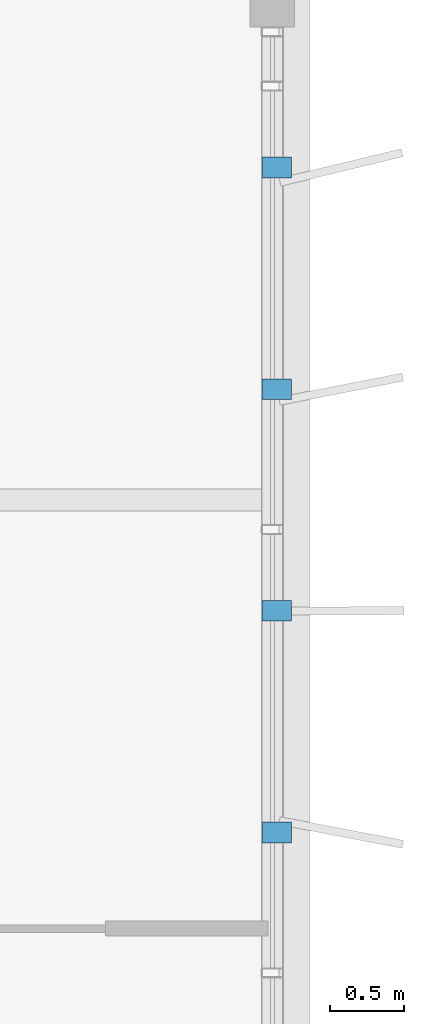
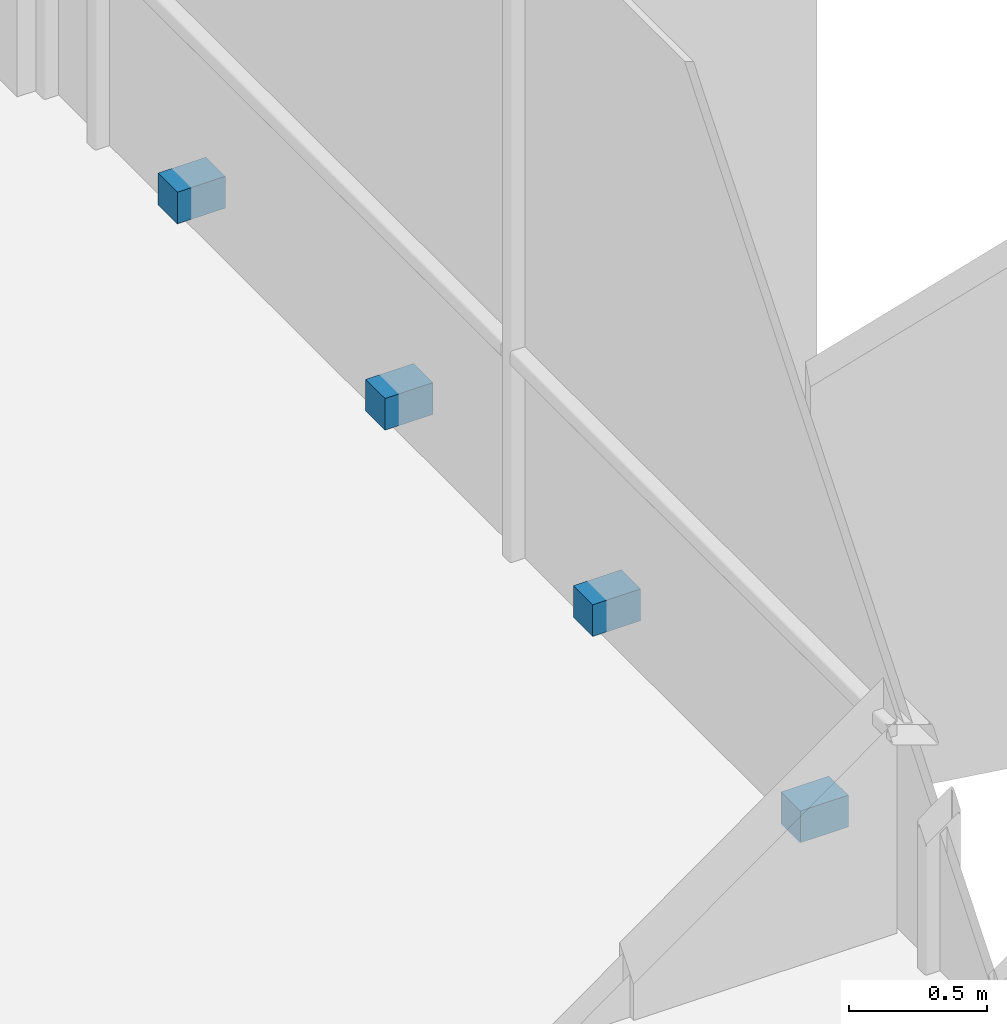
# One storey, part 11 of 13: 4 discrete accessories.
"""IFC4 building model written with IfcOpenShell, lengths in metres."""

from ifc_helpers import new_model, si_unit, direction, frame, origin, origin_2d, place, context, subcontext, project, spatial, rectangle, extrude, material, type_object, element, save


model = new_model("IFC4")

# Units and contexts
model_context = context("Model", 3, precision=1e-05, world=origin(), true_north=direction((0.0, 1.0)))
body_context = subcontext(model_context, "Body", "Model", "MODEL_VIEW")
ifc_project = project(units=[si_unit("LENGTHUNIT", "METRE"), si_unit("AREAUNIT", "SQUARE_METRE"), si_unit("VOLUMEUNIT", "CUBIC_METRE"), si_unit("PLANEANGLEUNIT", "RADIAN"), si_unit("MASSUNIT", "GRAM", prefix="KILO")], contexts=[model_context])

# Site, building, storey
site_placement = place(None, origin())
site = spatial("IfcSite", under=ifc_project, at=site_placement, CompositionType="ELEMENT")
building_placement = place(site_placement, origin())
building = spatial("IfcBuilding", under=site, at=building_placement, Name="Brevholm Reach", CompositionType="ELEMENT")
storey_placement = place(building_placement, frame((0.0, 0.0, 224.199951171875)))
storey = spatial("IfcBuildingStorey", under=building, at=storey_placement, Name="L68", CompositionType="ELEMENT", Elevation=224.199951171875)

# Discrete accessories
ifc_material = material(Name="Duplex Stainless Steel EN 1.4462", Category="steel")
discrete_accessory_type = type_object("IfcDiscreteAccessoryType", Name="ACC-BRK-01", PredefinedType="BRACKET", material=ifc_material)
for number, where, z_axis, x_axis, name in (
    (1, (59.8798828125, 17.5, 0.0302734375), (0.0, 0.0, 1.0), (1.0, 0.0, 0.0), "L68 Solar Screen Support Bracket 5"),
    (2, (59.8798828125, 19.0, 0.0302734375), (0.0, 0.0, 1.0), (1.0, 0.0, 0.0), "L68 Solar Screen Support Bracket 6"),
    (3, (59.8798828125, 20.5, 0.0302734375), (0.0, 0.0, 1.0), (1.0, 0.0, 0.0), "L68 Solar Screen Support Bracket 7"),
    (4, (59.8798828125, 22.0, 0.0302734375), (0.0, 0.0, 1.0), (1.0, 0.0, 0.0), "L68 Solar Screen Support Bracket 8"),
):
    element("IfcDiscreteAccessory", number, at=place(storey_placement, frame(where, z_axis=z_axis, x_axis=x_axis)), inside=storey, type_object=discrete_accessory_type, Name=name, PredefinedType="BRACKET", context=body_context, shape_type="SweptSolid", body=[
        extrude(rectangle(XDim=0.199951171875, YDim=0.139892578125, at=origin_2d()), origin(), (0.0, 0.0, 1.0), 0.139892578125),
    ])

save(model, "model.ifc")
